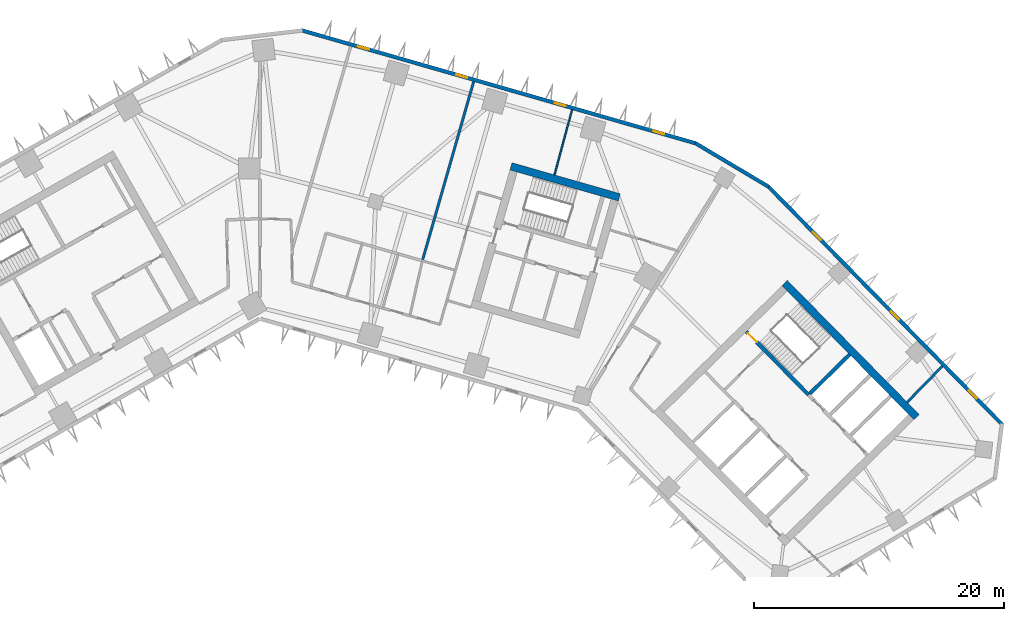
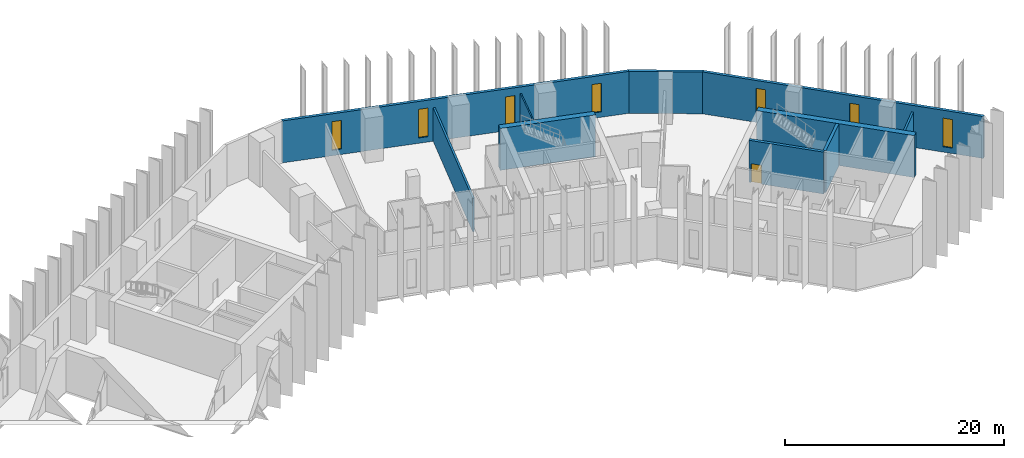
# One storey, part 7 of 11: 10 walls, 7 windows, 1 door, 8 openings.
"""IFC4 building model written with IfcOpenShell, lengths in metres."""

from ifc_helpers import new_model, si_unit, direction, frame, frame_2d, origin, place, context, subcontext, project, spatial, rectangle, extrude, material, layer, layer_set, type_object, element, fill, save


model = new_model("IFC4")

# Units and contexts
model_context = context("Model", 3, precision=1e-05, world=origin(), true_north=direction((0.0, 1.0)))
body_context = subcontext(model_context, "Body", "Model", "MODEL_VIEW")
ifc_project = project(units=[si_unit("LENGTHUNIT", "METRE"), si_unit("AREAUNIT", "SQUARE_METRE"), si_unit("VOLUMEUNIT", "CUBIC_METRE"), si_unit("PLANEANGLEUNIT", "RADIAN"), si_unit("MASSUNIT", "GRAM", prefix="KILO")], contexts=[model_context])

# Site, building, storey
site_placement = place(None, origin())
site = spatial("IfcSite", under=ifc_project, at=site_placement, CompositionType="ELEMENT")
building_placement = place(site_placement, origin())
building = spatial("IfcBuilding", under=site, at=building_placement, Name="Binnacle Exchange Tower", CompositionType="ELEMENT")
storey_placement = place(building_placement, frame((0.0, 0.0, 76.5)))
storey = spatial("IfcBuildingStorey", under=building, at=storey_placement, Name="L15", CompositionType="ELEMENT", Elevation=76.5)

# Walls
ifc_material_1 = material(Name="Concrete C70/85", Category="concrete")
ifc_layer_1 = layer(ifc_material_1, 0.60009765625)
ifc_layer_set_1 = layer_set([ifc_layer_1], Name="Core wall - outer 600")
wall_type_1 = type_object("IfcWallType", Name="Core wall - outer 600", PredefinedType="SOLIDWALL", material=ifc_layer_set_1)
wall_1_placement = place(storey_placement, frame((41.91650390625, 50.855712890625, 0.0), z_axis=(0.0, 0.0, 1.0), x_axis=(0.700911255944, -0.713248491965, 0.0)))
element("IfcWall", 1, at=wall_1_placement, inside=storey, type_object=wall_type_1, Name="Core wall CRWB6", PredefinedType="SOLIDWALL", context=body_context, shape_type="SweptSolid", body=[
    extrude(rectangle(XDim=15.0, YDim=0.60009765625, at=frame_2d((7.5, 0.0))), origin(), (0.0, 0.0, 1.0), 4.679931640625),
])
wall_2_placement = place(storey_placement, frame((20.052734375, 60.1796875, 0.0), z_axis=(0.0, 0.0, 1.0), x_axis=(0.96126248289, -0.275634611374, 0.0)))
element("IfcWall", 2, at=wall_2_placement, inside=storey, type_object=wall_type_1, Name="Core wall CRWD6", PredefinedType="SOLIDWALL", context=body_context, shape_type="SweptSolid", body=[
    extrude(rectangle(XDim=9.0, YDim=0.60009765625, at=frame_2d((4.5, 0.0))), origin(), (0.0, 0.0, 1.0), 4.679931640625),
])

# Wall, opening, door
ifc_layer_2 = layer(ifc_material_1, 0.300048828125)
ifc_layer_set_2 = layer_set([ifc_layer_2], Name="Core wall - stair 300")
wall_type_2 = type_object("IfcWallType", Name="Core wall - stair 300", PredefinedType="SOLIDWALL", material=ifc_layer_set_2)
wall_3_placement = place(storey_placement, frame((38.842041015625, 46.993408203125, 0.0), z_axis=(0.0, 0.0, 1.0), x_axis=(0.700907701701, -0.713251984713, 0.0)))
wall_3 = element("IfcWall", 3, at=wall_3_placement, inside=storey, type_object=wall_type_2, Name="Core wall CRWB4", PredefinedType="SOLIDWALL", context=body_context, shape_type="SweptSolid", body=[
    extrude(rectangle(XDim=7.10009765625, YDim=0.300048828125, at=frame_2d((3.550048828125, 0.0))), origin(), (0.0, 0.0, 1.0), 4.679931640625),
])
opening_1_placement = place(wall_3_placement, frame((0.199951171875, 0.0, 0.0)))
opening_1 = element("IfcOpeningElement", 4, at=opening_1_placement, cuts=wall_3, Name="Opening DB1", PredefinedType="OPENING", context=body_context, shape_type="SweptSolid", body=[
    extrude(rectangle(XDim=1.0, YDim=2.10009765625, at=frame_2d((0.5, 1.050048828125))), frame((0.0, 0.159912109375, 0.0), z_axis=(0.0, -1.0, 0.0), x_axis=(1.0, 0.0, 0.0)), (0.0, 0.0, 1.0), 0.320068359375),
])
ifc_material_2 = material(Name="Steel door leaf", Category="steel")
door_type = type_object("IfcDoorType", Name="Fire door 1000", OperationType="NOTDEFINED", PredefinedType="DOOR", material=ifc_material_2)
door_placement = place(opening_1_placement, origin())
door = element("IfcDoor", 5, at=door_placement, inside=storey, type_object=door_type, Name="Stair door ST-B1", OperationType="SINGLE_SWING_LEFT", OverallHeight=2.10009765625, OverallWidth=1.0, PredefinedType="DOOR", context=body_context, shape_type="SweptSolid", body=[
    extrude(rectangle(XDim=1.0, YDim=2.10009765625, at=frame_2d((0.5, 1.050048828125))), frame((0.0, 0.02490234375, 0.0), z_axis=(0.0, -1.0, 0.0), x_axis=(1.0, 0.0, 0.0)), (0.0, 0.0, 1.0), 0.050048828125),
])
fill(opening_1, door)

# Walls
wall_4_placement = place(storey_placement, frame((43.925537109375, 42.034423828125, 0.0), z_axis=(0.0, 0.0, 1.0), x_axis=(0.713251741427, 0.700907949271, 0.0)))
element("IfcWall", 6, at=wall_4_placement, inside=storey, type_object=wall_type_2, Name="Core wall CRWB11", PredefinedType="SOLIDWALL", context=body_context, shape_type="SweptSolid", body=[
    extrude(rectangle(XDim=4.4501953125, YDim=0.300048828125, at=frame_2d((2.22509765625, 0.0))), origin(), (0.0, 0.0, 1.0), 4.679931640625),
])
ifc_material_3 = material(Name="Bronze aluminium cladding", Category="aluminium")
ifc_layer_3 = layer(ifc_material_3, 0.300048828125)
ifc_layer_set_3 = layer_set([ifc_layer_3], Name="External wall - spandrel 300")
wall_type_3 = type_object("IfcWallType", Name="External wall - spandrel 300", PredefinedType="STANDARD", material=ifc_layer_set_3)
wall_5_placement = place(storey_placement, frame((34.773193359375, 62.0341796875, 0.0), z_axis=(0.0, 0.0, 1.0), x_axis=(0.859401317772, -0.511301647769, 0.0)))
element("IfcWall", 7, at=wall_5_placement, inside=storey, type_object=wall_type_3, Name="External wall EW-F00 L15", PredefinedType="STANDARD", context=body_context, shape_type="SweptSolid", body=[
    extrude(rectangle(XDim=6.80810546875, YDim=0.300048828125, at=frame_2d((3.404052734375, 0.0))), origin(), (0.0, 0.0, 1.0), 4.679931640625),
])

# Wall, openings, windows
wall_6_placement = place(storey_placement, frame((3.33544921875, 71.043701171875, 0.0), z_axis=(0.0, 0.0, 1.0), x_axis=(0.961260130989, -0.275642813387, 0.0)))
wall_6 = element("IfcWall", 8, at=wall_6_placement, inside=storey, type_object=wall_type_3, Name="External wall EW-F01 L15", PredefinedType="STANDARD", context=body_context, shape_type="SweptSolid", body=[
    extrude(rectangle(XDim=32.7412109375, YDim=0.300048828125, at=frame_2d((16.37060546875, 0.0))), origin(), (0.0, 0.0, 1.0), 4.679931640625),
])
opening_2_placement = place(wall_6_placement, frame((29.20703125, 0.0, 0.60009765625)))
opening_2 = element("IfcOpeningElement", 9, at=opening_2_placement, cuts=wall_6, Name="Opening WS1", PredefinedType="OPENING", context=body_context, shape_type="SweptSolid", body=[
    extrude(rectangle(XDim=0.89990234375, YDim=3.199951171875, at=frame_2d((0.449951171875, 1.60009765625))), frame((0.0, 0.159912109375, 0.0), z_axis=(0.0, -1.0, 0.0), x_axis=(1.0, 0.0, 0.0)), (0.0, 0.0, 1.0), 0.320068359375),
])
opening_3_placement = place(wall_6_placement, frame((21.0341796875, 0.0, 0.60009765625)))
opening_3 = element("IfcOpeningElement", 10, at=opening_3_placement, cuts=wall_6, Name="Opening WS1", PredefinedType="OPENING", context=body_context, shape_type="SweptSolid", body=[
    extrude(rectangle(XDim=0.89990234375, YDim=3.199951171875, at=frame_2d((0.449951171875, 1.60009765625))), frame((0.0, 0.159912109375, 0.0), z_axis=(0.0, -1.0, 0.0), x_axis=(1.0, 0.0, 0.0)), (0.0, 0.0, 1.0), 0.320068359375),
])
opening_4_placement = place(wall_6_placement, frame((12.861083984375, 0.0, 0.60009765625)))
opening_4 = element("IfcOpeningElement", 11, at=opening_4_placement, cuts=wall_6, Name="Opening WS1", PredefinedType="OPENING", context=body_context, shape_type="SweptSolid", body=[
    extrude(rectangle(XDim=0.89990234375, YDim=3.199951171875, at=frame_2d((0.449951171875, 1.60009765625))), frame((0.0, 0.159912109375, 0.0), z_axis=(0.0, -1.0, 0.0), x_axis=(1.0, 0.0, 0.0)), (0.0, 0.0, 1.0), 0.320068359375),
])
opening_5_placement = place(wall_6_placement, frame((4.688232421875, 0.0, 0.60009765625)))
opening_5 = element("IfcOpeningElement", 12, at=opening_5_placement, cuts=wall_6, Name="Opening WS1", PredefinedType="OPENING", context=body_context, shape_type="SweptSolid", body=[
    extrude(rectangle(XDim=0.89990234375, YDim=3.199951171875, at=frame_2d((0.449951171875, 1.60009765625))), frame((0.0, 0.159912109375, 0.0), z_axis=(0.0, -1.0, 0.0), x_axis=(1.0, 0.0, 0.0)), (0.0, 0.0, 1.0), 0.320068359375),
])
ifc_material_4 = material(Name="Bronze anodised aluminium frame", Category="aluminium")
window_type = type_object("IfcWindowType", Name="WS1 WINDOW 900x3200", PartitioningType="SINGLE_PANEL", PredefinedType="WINDOW", material=ifc_material_4)
window_1_placement = place(opening_2_placement, origin())
window_1 = element("IfcWindow", 13, at=window_1_placement, inside=storey, type_object=window_type, Name="Window WS1 L15", OverallHeight=3.199951171875, OverallWidth=0.89990234375, PartitioningType="SINGLE_PANEL", PredefinedType="WINDOW", context=body_context, shape_type="SweptSolid", body=[
    extrude(rectangle(XDim=0.89990234375, YDim=3.199951171875, at=frame_2d((0.449951171875, 1.60009765625))), frame((0.0, 0.030029296875, 0.0), z_axis=(0.0, -1.0, 0.0), x_axis=(1.0, 0.0, 0.0)), (0.0, 0.0, 1.0), 0.06005859375),
])
fill(opening_2, window_1)
window_2_placement = place(opening_3_placement, origin())
window_2 = element("IfcWindow", 14, at=window_2_placement, inside=storey, type_object=window_type, Name="Window WS1 L15", OverallHeight=3.199951171875, OverallWidth=0.89990234375, PartitioningType="SINGLE_PANEL", PredefinedType="WINDOW", context=body_context, shape_type="SweptSolid", body=[
    extrude(rectangle(XDim=0.89990234375, YDim=3.199951171875, at=frame_2d((0.449951171875, 1.60009765625))), frame((0.0, 0.030029296875, 0.0), z_axis=(0.0, -1.0, 0.0), x_axis=(1.0, 0.0, 0.0)), (0.0, 0.0, 1.0), 0.06005859375),
])
fill(opening_3, window_2)
window_3_placement = place(opening_4_placement, origin())
window_3 = element("IfcWindow", 15, at=window_3_placement, inside=storey, type_object=window_type, Name="Window WS1 L15", OverallHeight=3.199951171875, OverallWidth=0.89990234375, PartitioningType="SINGLE_PANEL", PredefinedType="WINDOW", context=body_context, shape_type="SweptSolid", body=[
    extrude(rectangle(XDim=0.89990234375, YDim=3.199951171875, at=frame_2d((0.449951171875, 1.60009765625))), frame((0.0, 0.030029296875, 0.0), z_axis=(0.0, -1.0, 0.0), x_axis=(1.0, 0.0, 0.0)), (0.0, 0.0, 1.0), 0.06005859375),
])
fill(opening_4, window_3)
window_4_placement = place(opening_5_placement, origin())
window_4 = element("IfcWindow", 16, at=window_4_placement, inside=storey, type_object=window_type, Name="Window WS1 L15", OverallHeight=3.199951171875, OverallWidth=0.89990234375, PartitioningType="SINGLE_PANEL", PredefinedType="WINDOW", context=body_context, shape_type="SweptSolid", body=[
    extrude(rectangle(XDim=0.89990234375, YDim=3.199951171875, at=frame_2d((0.449951171875, 1.60009765625))), frame((0.0, 0.030029296875, 0.0), z_axis=(0.0, -1.0, 0.0), x_axis=(1.0, 0.0, 0.0)), (0.0, 0.0, 1.0), 0.06005859375),
])
fill(opening_5, window_4)

wall_7_placement = place(storey_placement, frame((40.59375, 58.576904296875, 0.0), z_axis=(0.0, 0.0, 1.0), x_axis=(0.700909719808, -0.713250001528, 0.0)))
wall_7 = element("IfcWall", 17, at=wall_7_placement, inside=storey, type_object=wall_type_3, Name="External wall EW-F13 L15", PredefinedType="STANDARD", context=body_context, shape_type="SweptSolid", body=[
    extrude(rectangle(XDim=26.70849609375, YDim=0.300048828125, at=frame_2d((13.354248046875, 0.0))), origin(), (0.0, 0.0, 1.0), 4.679931640625),
])
opening_6_placement = place(wall_7_placement, frame((22.8583984375, 0.0, 0.60009765625)))
opening_6 = element("IfcOpeningElement", 18, at=opening_6_placement, cuts=wall_7, Name="Opening WS1", PredefinedType="OPENING", context=body_context, shape_type="SweptSolid", body=[
    extrude(rectangle(XDim=0.89990234375, YDim=3.199951171875, at=frame_2d((0.449951171875, 1.60009765625))), frame((0.0, 0.159912109375, 0.0), z_axis=(0.0, -1.0, 0.0), x_axis=(1.0, 0.0, 0.0)), (0.0, 0.0, 1.0), 0.320068359375),
])
opening_7_placement = place(wall_7_placement, frame((13.986572265625, 0.0, 0.60009765625)))
opening_7 = element("IfcOpeningElement", 19, at=opening_7_placement, cuts=wall_7, Name="Opening WS1", PredefinedType="OPENING", context=body_context, shape_type="SweptSolid", body=[
    extrude(rectangle(XDim=0.89990234375, YDim=3.199951171875, at=frame_2d((0.449951171875, 1.60009765625))), frame((0.0, 0.159912109375, 0.0), z_axis=(0.0, -1.0, 0.0), x_axis=(1.0, 0.0, 0.0)), (0.0, 0.0, 1.0), 0.320068359375),
])
opening_8_placement = place(wall_7_placement, frame((5.114501953125, 0.0, 0.60009765625)))
opening_8 = element("IfcOpeningElement", 20, at=opening_8_placement, cuts=wall_7, Name="Opening WS1", PredefinedType="OPENING", context=body_context, shape_type="SweptSolid", body=[
    extrude(rectangle(XDim=0.89990234375, YDim=3.199951171875, at=frame_2d((0.449951171875, 1.60009765625))), frame((0.0, 0.159912109375, 0.0), z_axis=(0.0, -1.0, 0.0), x_axis=(1.0, 0.0, 0.0)), (0.0, 0.0, 1.0), 0.320068359375),
])
window_5_placement = place(opening_6_placement, origin())
window_5 = element("IfcWindow", 21, at=window_5_placement, inside=storey, type_object=window_type, Name="Window WS1 L15", OverallHeight=3.199951171875, OverallWidth=0.89990234375, PartitioningType="SINGLE_PANEL", PredefinedType="WINDOW", context=body_context, shape_type="SweptSolid", body=[
    extrude(rectangle(XDim=0.89990234375, YDim=3.199951171875, at=frame_2d((0.449951171875, 1.60009765625))), frame((0.0, 0.030029296875, 0.0), z_axis=(0.0, -1.0, 0.0), x_axis=(1.0, 0.0, 0.0)), (0.0, 0.0, 1.0), 0.06005859375),
])
fill(opening_6, window_5)
window_6_placement = place(opening_7_placement, origin())
window_6 = element("IfcWindow", 22, at=window_6_placement, inside=storey, type_object=window_type, Name="Window WS1 L15", OverallHeight=3.199951171875, OverallWidth=0.89990234375, PartitioningType="SINGLE_PANEL", PredefinedType="WINDOW", context=body_context, shape_type="SweptSolid", body=[
    extrude(rectangle(XDim=0.89990234375, YDim=3.199951171875, at=frame_2d((0.449951171875, 1.60009765625))), frame((0.0, 0.030029296875, 0.0), z_axis=(0.0, -1.0, 0.0), x_axis=(1.0, 0.0, 0.0)), (0.0, 0.0, 1.0), 0.06005859375),
])
fill(opening_7, window_6)
window_7_placement = place(opening_8_placement, origin())
window_7 = element("IfcWindow", 23, at=window_7_placement, inside=storey, type_object=window_type, Name="Window WS1 L15", OverallHeight=3.199951171875, OverallWidth=0.89990234375, PartitioningType="SINGLE_PANEL", PredefinedType="WINDOW", context=body_context, shape_type="SweptSolid", body=[
    extrude(rectangle(XDim=0.89990234375, YDim=3.199951171875, at=frame_2d((0.449951171875, 1.60009765625))), frame((0.0, 0.030029296875, 0.0), z_axis=(0.0, -1.0, 0.0), x_axis=(1.0, 0.0, 0.0)), (0.0, 0.0, 1.0), 0.06005859375),
])
fill(opening_8, window_7)

# Walls
ifc_material_5 = material(Name="Masonry block wall", Category="masonry")
ifc_layer_4 = layer(ifc_material_5, 0.199951171875)
ifc_layer_set_4 = layer_set([ifc_layer_4], Name="Fire wall - block 200")
wall_type_4 = type_object("IfcWallType", Name="Fire wall - block 200", PredefinedType="PARTITIONING", material=ifc_layer_set_4)
wall_8_placement = place(storey_placement, frame((12.97412109375, 52.638916015625, 0.0), z_axis=(0.0, 0.0, 1.0), x_axis=(0.275299463768, 0.961358520662, 0.0)))
element("IfcWall", 24, at=wall_8_placement, inside=storey, type_object=wall_type_4, Name="Partition W29", PredefinedType="PARTITIONING", context=body_context, shape_type="SweptSolid", body=[
    extrude(rectangle(XDim=14.88525390625, YDim=0.199951171875, at=frame_2d((7.442626953125, 0.0))), origin(), (0.0, 0.0, 1.0), 3.741943359375),
])
wall_9_placement = place(storey_placement, frame((51.68798828125, 41.340087890625, 0.0), z_axis=(0.0, 0.0, 1.0), x_axis=(0.698090794369, 0.716009247718, 0.0)))
element("IfcWall", 25, at=wall_9_placement, inside=storey, type_object=wall_type_4, Name="Partition W44", PredefinedType="PARTITIONING", context=body_context, shape_type="SweptSolid", body=[
    extrude(rectangle(XDim=4.019287109375, YDim=0.199951171875, at=frame_2d((2.009765625, 0.0))), origin(), (0.0, 0.0, 1.0), 3.9599609375),
])
ifc_material_6 = material(Name="Gypsum partition")
ifc_layer_5 = layer(ifc_material_6, 0.125)
ifc_layer_set_5 = layer_set([ifc_layer_5], Name="Partition 125")
wall_type_5 = type_object("IfcWallType", Name="Partition 125", PredefinedType="PARTITIONING", material=ifc_layer_set_5)
wall_10_placement = place(storey_placement, frame((23.52294921875, 59.4970703125, 0.0), z_axis=(0.0, 0.0, 1.0), x_axis=(0.261275557939, 0.965264255437, 0.0)))
element("IfcWall", 26, at=wall_10_placement, inside=storey, type_object=wall_type_5, Name="Partition W35", PredefinedType="PARTITIONING", context=body_context, shape_type="SweptSolid", body=[
    extrude(rectangle(XDim=5.385009765625, YDim=0.125, at=frame_2d((2.6923828125, 0.0))), origin(), (0.0, 0.0, 1.0), 3.9599609375),
])

save(model, "model.ifc")
